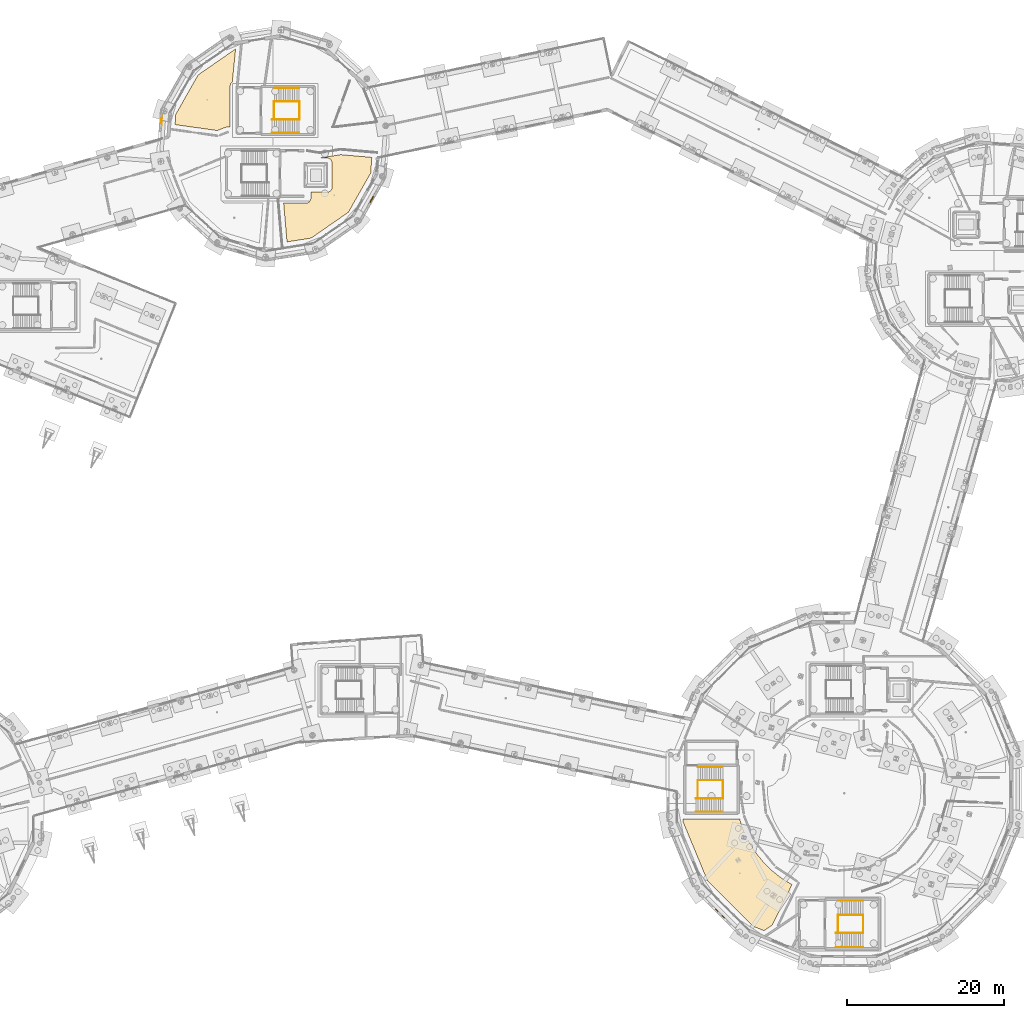
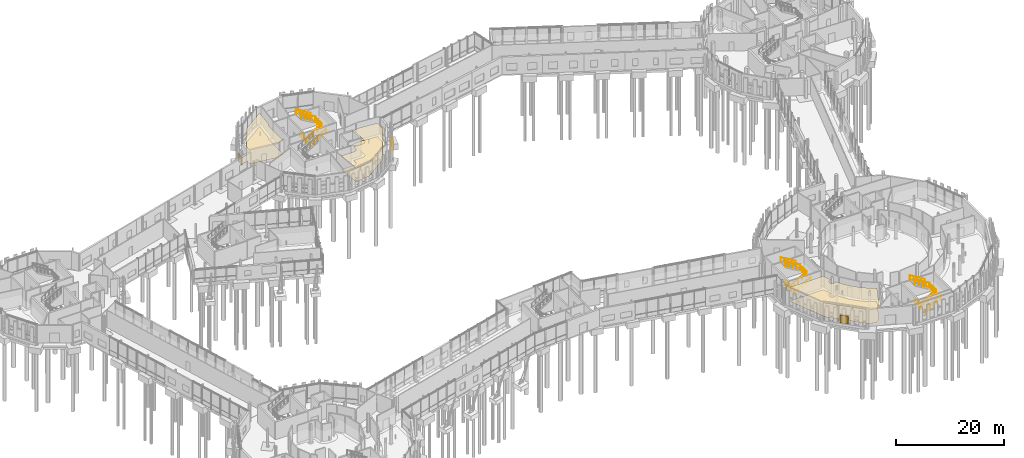
# One storey, part 110 of 113: 18 railings, 6 coverings, 3 shading devices.
"""IFC4 building model written with IfcOpenShell, lengths in metres."""

from ifc_helpers import new_model, si_unit, direction, frame, origin, origin_2d, place, context, subcontext, project, spatial, polyline, rectangle, circle, outline, extrude, material, layer, layer_set, type_object, element, save


model = new_model("IFC4")

# Units and contexts
model_context = context("Model", 3, precision=1e-05, world=origin(), true_north=direction((0.0, 1.0)))
body_context = subcontext(model_context, "Body", "Model", "MODEL_VIEW")
ifc_project = project(units=[si_unit("LENGTHUNIT", "METRE"), si_unit("AREAUNIT", "SQUARE_METRE"), si_unit("VOLUMEUNIT", "CUBIC_METRE"), si_unit("PLANEANGLEUNIT", "RADIAN"), si_unit("MASSUNIT", "GRAM", prefix="KILO")], contexts=[model_context])

# Site, building, storey
site_placement = place(None, origin())
site = spatial("IfcSite", under=ifc_project, at=site_placement, CompositionType="ELEMENT")
building_placement = place(site_placement, origin())
building = spatial("IfcBuilding", under=site, at=building_placement, Name="Wrenclough Park School", CompositionType="ELEMENT")
storey_placement = place(building_placement, origin())
storey = spatial("IfcBuildingStorey", under=building, at=storey_placement, Name="L00", CompositionType="ELEMENT", Elevation=0.0)

# Shading devices
ifc_material_1 = material(Name="Perforated Manchester multi-stock and Staffordshire blue-grey brick screen", Category="masonry")
ifc_layer_1 = layer(ifc_material_1, 0.114990234375)
ifc_layer_set_1 = layer_set([ifc_layer_1], Name="Perforated Manchester multi-stock and Staffordshire blue-grey brick screen")
shading_device_type_1 = type_object("IfcShadingDeviceType", Name="ENV-BS-02", PredefinedType="USERDEFINED", material=ifc_layer_set_1)
for number, where, z_axis, x_axis, name in (
    (1, (139.73291015625, 10.73291015625, 0.52978515625), (0.0, 0.0, 1.0), (0.707106781187, -0.707106781187, 0.0), "D1 L00 acoustic open-bond brick baffle 004"),
    (2, (95.492919921875, 101.4111328125, 0.52978515625), (0.0, 0.0, 1.0), (0.493508752009, 0.869740830185, 0.0), "D4 L00 acoustic open-bond brick baffle 010"),
):
    element("IfcShadingDevice", number, at=place(storey_placement, frame(where, z_axis=z_axis, x_axis=x_axis)), inside=storey, type_object=shading_device_type_1, Name=name, ObjectType="PERFORATED BRICK SCREEN", PredefinedType="USERDEFINED", context=body_context, shape_type="SweptSolid", body=[
        extrude(rectangle(XDim=1.60009765625, YDim=0.114990234375, at=origin_2d()), origin(), (0.0, 0.0, 1.0), 1.800048828125),
    ])
ifc_layer_2 = layer(ifc_material_1, 0.114990234375)
ifc_layer_set_2 = layer_set([ifc_layer_2], Name="Perforated Manchester multi-stock and Staffordshire blue-grey brick screen")
shading_device_type_2 = type_object("IfcShadingDeviceType", Name="ENV-BS-03", PredefinedType="USERDEFINED", material=ifc_layer_set_2)
shading_device_placement = place(storey_placement, frame((68.80078125, 111.426513671875, 0.52978515625), z_axis=(0.0, 0.0, 1.0), x_axis=(-0.067258571961, -0.997735578446, 0.0)))
element("IfcShadingDevice", 3, at=shading_device_placement, inside=storey, type_object=shading_device_type_2, Name="D4 L00 acoustic open-bond brick baffle 008", ObjectType="PERFORATED BRICK SCREEN", PredefinedType="USERDEFINED", context=body_context, shape_type="SweptSolid", body=[
    extrude(rectangle(XDim=1.60009765625, YDim=0.114990234375, at=origin_2d()), origin(), (0.0, 0.0, 1.0), 1.800048828125),
])

# Coverings
ifc_material_2 = material(Name="Class A mineral-fibre acoustic ceiling raft", Category="gypsum")
ifc_layer_3 = layer(ifc_material_2, 0.044921875)
ifc_layer_set_3 = layer_set([ifc_layer_3], Name="Class A mineral-fibre acoustic ceiling raft")
covering_type_1 = type_object("IfcCoveringType", Name="INT-COV-CEIL", PredefinedType="CEILING", material=ifc_layer_set_3)
covering_1_placement = place(storey_placement, frame((0.0, 0.0, 3.054931640625)))
element("IfcCovering", 4, at=covering_1_placement, inside=storey, type_object=covering_type_1, Name="PE Changing Village West acoustic ceiling raft", PredefinedType="CEILING", context=body_context, shape_type="SweptSolid", body=[
    extrude(outline(polyline([(135.05322265625, 22.742431640625), (135.017822265625, 22.751220703125), (135.017822265625, 22.42578125), (138.135986328125, 14.897705078125), (143.897705078125, 9.135986328125), (145.311767578125, 8.550537109375), (146.369873046875, 9.263427734375), (148.876220703125, 14.402099609375), (148.607177734375, 14.546142578125), (147.87548828125, 14.9990234375), (147.094970703125, 15.556396484375), (146.392333984375, 16.1337890625), (145.748046875, 16.7373046875), (145.134033203125, 17.392333984375), (144.560302734375, 18.08984375), (144.0302734375, 18.82861328125), (143.546875, 19.606201171875), (143.29638671875, 20.073974609375), (143.24072265625, 19.992431640625), (143.20068359375, 19.9482421875), (143.10888671875, 19.872802734375), (143.057861328125, 19.84228515625), (142.947998046875, 19.796875), (142.831298828125, 19.773681640625), (142.712646484375, 19.773681640625), (142.595947265625, 19.796875), (142.5400390625, 19.81689453125), (142.435302734375, 19.872802734375), (142.34326171875, 19.9482421875), (142.30322265625, 19.992431640625), (142.267822265625, 20.040283203125), (142.2119140625, 20.14501953125), (142.19189453125, 20.200927734375), (142.168701171875, 20.317626953125), (142.168701171875, 20.436279296875), (142.17724609375, 20.495361328125), (142.2119140625, 20.60888671875), (142.2373046875, 20.662841796875), (142.267822265625, 20.7138671875), (142.34326171875, 20.8056640625), (142.435302734375, 20.881103515625), (142.486083984375, 20.91162109375), (142.595947265625, 20.957275390625), (142.65380859375, 20.9716796875), (142.77197265625, 20.9833984375), (142.861572265625, 20.975830078125), (142.732421875, 21.265625), (142.43115234375, 22.07177734375), (142.228515625, 22.73974609375), (142.1201171875, 22.72998046875), (135.179931640625, 22.72998046875), (135.05322265625, 22.742431640625)])), origin(), (0.0, 0.0, 1.0), 0.045166015625),
])
covering_2_placement = place(storey_placement, frame((0.0, 0.0, 3.054931640625)))
element("IfcCovering", 5, at=covering_2_placement, inside=storey, type_object=covering_type_1, Name="SEN Learning Hub Classroom acoustic ceiling raft", PredefinedType="CEILING", context=body_context, shape_type="SweptSolid", body=[
    extrude(outline(polyline([(77.3173828125, 110.619140625), (77.530029296875, 110.60498046875), (77.533203125, 115.8837890625), (77.55810546875, 116.0087890625), (77.606689453125, 116.12646484375), (77.677490234375, 116.232421875), (77.720458984375, 116.279541015625), (77.801513671875, 116.347412109375), (78.217041015625, 120.503662109375), (78.18701171875, 120.498779296875), (73.45751953125, 117.222412109375), (70.617919921875, 112.21826171875), (70.52978515625, 110.908935546875), (75.89208984375, 110.1552734375), (76.823486328125, 110.52490234375), (76.9140625, 110.553466796875), (77.125244140625, 110.603271484375), (77.188720703125, 110.61474609375), (77.3173828125, 110.619140625)])), origin(), (0.0, 0.0, 1.0), 0.045166015625),
])
covering_3_placement = place(storey_placement, frame((0.0, 0.0, 3.054931640625)))
element("IfcCovering", 6, at=covering_3_placement, inside=storey, type_object=covering_type_1, Name="Mathematics Classroom 1 acoustic ceiling raft", PredefinedType="CEILING", context=body_context, shape_type="SweptSolid", body=[
    extrude(outline(polyline([(87.1201171875, 100.929931640625), (84.314697265625, 100.929931640625), (84.744873046875, 96.01513671875), (87.81298828125, 96.501220703125), (92.54248046875, 99.777587890625), (95.382080078125, 104.78173828125), (95.514892578125, 106.752685546875), (91.57568359375, 107.09716796875), (88.879150390625, 106.669921875), (89.820068359375, 106.669921875), (89.94677734375, 106.657470703125), (90.0087890625, 106.64208984375), (90.12646484375, 106.59326171875), (90.232421875, 106.5224609375), (90.322509765625, 106.432373046875), (90.360595703125, 106.381103515625), (90.42041015625, 106.268798828125), (90.45751953125, 106.146728515625), (90.469970703125, 106.02001953125), (90.469970703125, 102.97998046875), (90.45751953125, 102.853271484375), (90.44189453125, 102.791259765625), (90.42041015625, 102.731201171875), (90.360595703125, 102.618896484375), (90.322509765625, 102.567626953125), (90.232421875, 102.4775390625), (90.18115234375, 102.439453125), (90.068603515625, 102.37939453125), (89.94677734375, 102.342529296875), (89.820068359375, 102.330078125), (87.77001953125, 102.330078125), (87.766845703125, 101.516357421875), (87.757568359375, 101.453125), (87.720458984375, 101.331298828125), (87.660400390625, 101.218994140625), (87.62255859375, 101.16748046875), (87.532470703125, 101.077392578125), (87.481201171875, 101.03955078125), (87.36865234375, 100.9794921875), (87.30859375, 100.9580078125), (87.246826171875, 100.9423828125), (87.1201171875, 100.929931640625)])), origin(), (0.0, 0.0, 1.0), 0.045166015625),
])
ifc_material_3 = material(Name="Acoustic natural linoleum school flooring", Category="wood")
ifc_layer_4 = layer(ifc_material_3, 0.014892578125)
ifc_layer_set_4 = layer_set([ifc_layer_4], Name="Acoustic natural linoleum school flooring")
covering_type_2 = type_object("IfcCoveringType", Name="INT-COV-FLOOR1", PredefinedType="FLOORING", material=ifc_layer_set_4)
covering_4_placement = place(storey_placement, origin())
element("IfcCovering", 7, at=covering_4_placement, inside=storey, type_object=covering_type_2, Name="PE Changing Village West floor finish", PredefinedType="FLOORING", context=body_context, shape_type="SweptSolid", body=[
    extrude(outline(polyline([(135.05322265625, 22.742431640625), (135.017822265625, 22.751220703125), (135.017822265625, 22.42578125), (138.135986328125, 14.897705078125), (143.897705078125, 9.135986328125), (145.311767578125, 8.550537109375), (146.369873046875, 9.263427734375), (148.876220703125, 14.402099609375), (148.607177734375, 14.546142578125), (147.87548828125, 14.9990234375), (147.094970703125, 15.556396484375), (146.392333984375, 16.1337890625), (145.748046875, 16.7373046875), (145.134033203125, 17.392333984375), (144.560302734375, 18.08984375), (144.0302734375, 18.82861328125), (143.546875, 19.606201171875), (143.29638671875, 20.073974609375), (143.24072265625, 19.992431640625), (143.20068359375, 19.9482421875), (143.10888671875, 19.872802734375), (143.057861328125, 19.84228515625), (142.947998046875, 19.796875), (142.831298828125, 19.773681640625), (142.712646484375, 19.773681640625), (142.595947265625, 19.796875), (142.5400390625, 19.81689453125), (142.435302734375, 19.872802734375), (142.34326171875, 19.9482421875), (142.30322265625, 19.992431640625), (142.267822265625, 20.040283203125), (142.2119140625, 20.14501953125), (142.19189453125, 20.200927734375), (142.168701171875, 20.317626953125), (142.168701171875, 20.436279296875), (142.17724609375, 20.495361328125), (142.2119140625, 20.60888671875), (142.2373046875, 20.662841796875), (142.267822265625, 20.7138671875), (142.34326171875, 20.8056640625), (142.435302734375, 20.881103515625), (142.486083984375, 20.91162109375), (142.595947265625, 20.957275390625), (142.65380859375, 20.9716796875), (142.77197265625, 20.9833984375), (142.861572265625, 20.975830078125), (142.732421875, 21.265625), (142.43115234375, 22.07177734375), (142.228515625, 22.73974609375), (142.1201171875, 22.72998046875), (135.179931640625, 22.72998046875), (135.05322265625, 22.742431640625)])), origin(), (0.0, 0.0, 1.0), 0.014892578125),
])
covering_5_placement = place(storey_placement, origin())
element("IfcCovering", 8, at=covering_5_placement, inside=storey, type_object=covering_type_2, Name="SEN Learning Hub Classroom floor finish", PredefinedType="FLOORING", context=body_context, shape_type="SweptSolid", body=[
    extrude(outline(polyline([(77.3173828125, 110.619140625), (77.530029296875, 110.60498046875), (77.533203125, 115.8837890625), (77.55810546875, 116.0087890625), (77.606689453125, 116.12646484375), (77.677490234375, 116.232421875), (77.720458984375, 116.279541015625), (77.801513671875, 116.347412109375), (78.217041015625, 120.503662109375), (78.18701171875, 120.498779296875), (73.45751953125, 117.222412109375), (70.617919921875, 112.21826171875), (70.52978515625, 110.908935546875), (75.89208984375, 110.1552734375), (76.823486328125, 110.52490234375), (76.9140625, 110.553466796875), (77.125244140625, 110.603271484375), (77.188720703125, 110.61474609375), (77.3173828125, 110.619140625)])), origin(), (0.0, 0.0, 1.0), 0.014892578125),
])
covering_6_placement = place(storey_placement, origin())
element("IfcCovering", 9, at=covering_6_placement, inside=storey, type_object=covering_type_2, Name="Mathematics Classroom 1 floor finish", PredefinedType="FLOORING", context=body_context, shape_type="SweptSolid", body=[
    extrude(outline(polyline([(87.1201171875, 100.929931640625), (84.314697265625, 100.929931640625), (84.744873046875, 96.01513671875), (87.81298828125, 96.501220703125), (92.54248046875, 99.777587890625), (95.382080078125, 104.78173828125), (95.514892578125, 106.752685546875), (91.57568359375, 107.09716796875), (88.879150390625, 106.669921875), (89.820068359375, 106.669921875), (89.94677734375, 106.657470703125), (90.0087890625, 106.64208984375), (90.12646484375, 106.59326171875), (90.232421875, 106.5224609375), (90.322509765625, 106.432373046875), (90.360595703125, 106.381103515625), (90.42041015625, 106.268798828125), (90.45751953125, 106.146728515625), (90.469970703125, 106.02001953125), (90.469970703125, 102.97998046875), (90.45751953125, 102.853271484375), (90.44189453125, 102.791259765625), (90.42041015625, 102.731201171875), (90.360595703125, 102.618896484375), (90.322509765625, 102.567626953125), (90.232421875, 102.4775390625), (90.18115234375, 102.439453125), (90.068603515625, 102.37939453125), (89.94677734375, 102.342529296875), (89.820068359375, 102.330078125), (87.77001953125, 102.330078125), (87.766845703125, 101.516357421875), (87.757568359375, 101.453125), (87.720458984375, 101.331298828125), (87.660400390625, 101.218994140625), (87.62255859375, 101.16748046875), (87.532470703125, 101.077392578125), (87.481201171875, 101.03955078125), (87.36865234375, 100.9794921875), (87.30859375, 100.9580078125), (87.246826171875, 100.9423828125), (87.1201171875, 100.929931640625)])), origin(), (0.0, 0.0, 1.0), 0.014892578125),
])

# Railings
ifc_material_4 = material(Name="Powder-coated steel vertical-baluster stair and atrium guard", Category="steel")
railing_type_1 = type_object("IfcRailingType", Name="INT-RL-GD1120", PredefinedType="GUARDRAIL", material=ifc_material_4)
railing_1_placement = place(storey_placement, frame((154.705078125, 8.25, 0.0)))
element("IfcRailing", 10, at=railing_1_placement, inside=storey, type_object=railing_type_1, Name="ST-09 L00 well guard 1", PredefinedType="GUARDRAIL", context=body_context, shape_type="SweptSolid", body=[
    extrude(circle(Radius=0.02392578125, at=origin_2d()), frame((0.0, 0.0, 1.09619140625), z_axis=(0.0, 1.0, 0.0), x_axis=(-1.0, 0.0, 0.0)), (0.0, 0.0, 1.0), 2.300048828125),
    extrude(circle(Radius=0.02099609375, at=origin_2d()), origin(), (0.0, 0.0, 1.0), 1.072021484375),
    extrude(circle(Radius=0.02099609375, at=origin_2d()), frame((0.0, 0.7666015625, 0.0)), (0.0, 0.0, 1.0), 1.072021484375),
    extrude(circle(Radius=0.02099609375, at=origin_2d()), frame((0.0, 1.533447265625, 0.0)), (0.0, 0.0, 1.0), 1.072021484375),
    extrude(circle(Radius=0.02099609375, at=origin_2d()), frame((0.0, 2.300048828125, 0.0)), (0.0, 0.0, 1.0), 1.072021484375),
])
railing_2_placement = place(storey_placement, frame((154.4599609375, 8.25, 0.16796875)))
element("IfcRailing", 11, at=railing_2_placement, inside=storey, type_object=railing_type_1, Name="ST-09 L00 well guard 2", PredefinedType="GUARDRAIL", context=body_context, shape_type="SweptSolid", body=[
    extrude(circle(Radius=0.02392578125, at=origin_2d()), frame((0.0, 0.0, 1.09619140625), z_axis=(0.861450067461, 0.0, 0.507842279918), x_axis=(0.0, 1.0, 0.0)), (0.0, 0.0, 1.0), 3.969970703125),
    extrude(circle(Radius=0.02099609375, at=origin_2d()), origin(), (0.0, 0.0, 1.0), 1.072021484375),
    extrude(circle(Radius=0.02099609375, at=origin_2d()), frame((0.85498046875, 0.0, 0.50390625)), (0.0, 0.0, 1.0), 1.072021484375),
    extrude(circle(Radius=0.02099609375, at=origin_2d()), frame((1.7099609375, 0.0, 1.008056640625)), (0.0, 0.0, 1.0), 1.072021484375),
    extrude(circle(Radius=0.02099609375, at=origin_2d()), frame((2.56494140625, 0.0, 1.51220703125)), (0.0, 0.0, 1.0), 1.072021484375),
    extrude(circle(Radius=0.02099609375, at=origin_2d()), frame((3.419921875, 0.0, 2.01611328125)), (0.0, 0.0, 1.0), 1.072021484375),
])
railing_3_placement = place(storey_placement, frame((157.919921875, 8.25, 2.18408203125)))
element("IfcRailing", 12, at=railing_3_placement, inside=storey, type_object=railing_type_1, Name="ST-09 L00 well guard 3", PredefinedType="GUARDRAIL", context=body_context, shape_type="SweptSolid", body=[
    extrude(circle(Radius=0.02392578125, at=origin_2d()), frame((0.0, 0.0, 1.09619140625), z_axis=(0.0, 1.0, 0.0), x_axis=(-1.0, 0.0, 0.0)), (0.0, 0.0, 1.0), 2.300048828125),
    extrude(circle(Radius=0.02099609375, at=origin_2d()), origin(), (0.0, 0.0, 1.0), 1.072021484375),
    extrude(circle(Radius=0.02099609375, at=origin_2d()), frame((0.0, 0.7666015625, 0.0)), (0.0, 0.0, 1.0), 1.072021484375),
    extrude(circle(Radius=0.02099609375, at=origin_2d()), frame((0.0, 1.533447265625, 0.0)), (0.0, 0.0, 1.0), 1.072021484375),
    extrude(circle(Radius=0.02099609375, at=origin_2d()), frame((0.0, 2.300048828125, 0.0)), (0.0, 0.0, 1.0), 1.072021484375),
])
railing_4_placement = place(storey_placement, frame((157.8798828125, 10.550048828125, 2.35205078125)))
element("IfcRailing", 13, at=railing_4_placement, inside=storey, type_object=railing_type_1, Name="ST-09 L00 well guard 4", PredefinedType="GUARDRAIL", context=body_context, shape_type="SweptSolid", body=[
    extrude(circle(Radius=0.02392578125, at=origin_2d()), frame((0.0, 0.0, 1.09619140625), z_axis=(-0.861462991237, 0.0, 0.50782035675), x_axis=(0.0, -1.0, 0.0)), (0.0, 0.0, 1.0), 3.638916015625),
    extrude(circle(Radius=0.02099609375, at=origin_2d()), origin(), (0.0, 0.0, 1.0), 1.072021484375),
    extrude(circle(Radius=0.02099609375, at=origin_2d()), frame((-0.78369140625, 0.0, 0.4619140625)), (0.0, 0.0, 1.0), 1.072021484375),
    extrude(circle(Radius=0.02099609375, at=origin_2d()), frame((-1.5673828125, 0.0, 0.923828125)), (0.0, 0.0, 1.0), 1.072021484375),
    extrude(circle(Radius=0.02099609375, at=origin_2d()), frame((-2.35107421875, 0.0, 1.385986328125)), (0.0, 0.0, 1.0), 1.072021484375),
    extrude(circle(Radius=0.02099609375, at=origin_2d()), frame((-3.134765625, 0.0, 1.847900390625)), (0.0, 0.0, 1.0), 1.072021484375),
])
railing_5_placement = place(storey_placement, frame((136.905029296875, 25.35009765625, 0.0)))
element("IfcRailing", 14, at=railing_5_placement, inside=storey, type_object=railing_type_1, Name="ST-12 L00 well guard 1", PredefinedType="GUARDRAIL", context=body_context, shape_type="SweptSolid", body=[
    extrude(circle(Radius=0.02392578125, at=origin_2d()), frame((0.0, 0.0, 1.09619140625), z_axis=(0.0, 1.0, 0.0), x_axis=(-1.0, 0.0, 0.0)), (0.0, 0.0, 1.0), 2.2998046875),
    extrude(circle(Radius=0.02099609375, at=origin_2d()), origin(), (0.0, 0.0, 1.0), 1.072021484375),
    extrude(circle(Radius=0.02099609375, at=origin_2d()), frame((0.0, 0.7666015625, 0.0)), (0.0, 0.0, 1.0), 1.072021484375),
    extrude(circle(Radius=0.02099609375, at=origin_2d()), frame((0.0, 1.533203125, 0.0)), (0.0, 0.0, 1.0), 1.072021484375),
    extrude(circle(Radius=0.02099609375, at=origin_2d()), frame((0.0, 2.2998046875, 0.0)), (0.0, 0.0, 1.0), 1.072021484375),
])
railing_6_placement = place(storey_placement, frame((136.659912109375, 25.35009765625, 0.16796875)))
element("IfcRailing", 15, at=railing_6_placement, inside=storey, type_object=railing_type_1, Name="ST-12 L00 well guard 2", PredefinedType="GUARDRAIL", context=body_context, shape_type="SweptSolid", body=[
    extrude(circle(Radius=0.02392578125, at=origin_2d()), frame((0.0, 0.0, 1.09619140625), z_axis=(0.861465926511, 0.0, 0.507815377338), x_axis=(0.0, 1.0, 0.0)), (0.0, 0.0, 1.0), 3.97021484375),
    extrude(circle(Radius=0.02099609375, at=origin_2d()), origin(), (0.0, 0.0, 1.0), 1.072021484375),
    extrude(circle(Radius=0.02099609375, at=origin_2d()), frame((0.85498046875, 0.0, 0.50390625)), (0.0, 0.0, 1.0), 1.072021484375),
    extrude(circle(Radius=0.02099609375, at=origin_2d()), frame((1.7099609375, 0.0, 1.008056640625)), (0.0, 0.0, 1.0), 1.072021484375),
    extrude(circle(Radius=0.02099609375, at=origin_2d()), frame((2.565185546875, 0.0, 1.51220703125)), (0.0, 0.0, 1.0), 1.072021484375),
    extrude(circle(Radius=0.02099609375, at=origin_2d()), frame((3.420166015625, 0.0, 2.01611328125)), (0.0, 0.0, 1.0), 1.072021484375),
])
railing_7_placement = place(storey_placement, frame((140.1201171875, 25.35009765625, 2.18408203125)))
element("IfcRailing", 16, at=railing_7_placement, inside=storey, type_object=railing_type_1, Name="ST-12 L00 well guard 3", PredefinedType="GUARDRAIL", context=body_context, shape_type="SweptSolid", body=[
    extrude(circle(Radius=0.02392578125, at=origin_2d()), frame((0.0, 0.0, 1.09619140625), z_axis=(0.0, 1.0, 0.0), x_axis=(-1.0, 0.0, 0.0)), (0.0, 0.0, 1.0), 2.2998046875),
    extrude(circle(Radius=0.02099609375, at=origin_2d()), origin(), (0.0, 0.0, 1.0), 1.072021484375),
    extrude(circle(Radius=0.02099609375, at=origin_2d()), frame((0.0, 0.7666015625, 0.0)), (0.0, 0.0, 1.0), 1.072021484375),
    extrude(circle(Radius=0.02099609375, at=origin_2d()), frame((0.0, 1.533203125, 0.0)), (0.0, 0.0, 1.0), 1.072021484375),
    extrude(circle(Radius=0.02099609375, at=origin_2d()), frame((0.0, 2.2998046875, 0.0)), (0.0, 0.0, 1.0), 1.072021484375),
])
railing_8_placement = place(storey_placement, frame((140.080078125, 27.64990234375, 2.35205078125)))
element("IfcRailing", 17, at=railing_8_placement, inside=storey, type_object=railing_type_1, Name="ST-12 L00 well guard 4", PredefinedType="GUARDRAIL", context=body_context, shape_type="SweptSolid", body=[
    extrude(circle(Radius=0.02392578125, at=origin_2d()), frame((0.0, 0.0, 1.09619140625), z_axis=(-0.861480291558, 0.0, 0.50779100746), x_axis=(0.0, -1.0, 0.0)), (0.0, 0.0, 1.0), 3.63916015625),
    extrude(circle(Radius=0.02099609375, at=origin_2d()), origin(), (0.0, 0.0, 1.0), 1.072021484375),
    extrude(circle(Radius=0.02099609375, at=origin_2d()), frame((-0.78369140625, 0.0, 0.4619140625)), (0.0, 0.0, 1.0), 1.072021484375),
    extrude(circle(Radius=0.02099609375, at=origin_2d()), frame((-1.5673828125, 0.0, 0.923828125)), (0.0, 0.0, 1.0), 1.072021484375),
    extrude(circle(Radius=0.02099609375, at=origin_2d()), frame((-2.351318359375, 0.0, 1.385986328125)), (0.0, 0.0, 1.0), 1.072021484375),
    extrude(circle(Radius=0.02099609375, at=origin_2d()), frame((-3.135009765625, 0.0, 1.847900390625)), (0.0, 0.0, 1.0), 1.072021484375),
])
railing_9_placement = place(storey_placement, frame((83.10498046875, 111.550048828125, 0.0)))
element("IfcRailing", 18, at=railing_9_placement, inside=storey, type_object=railing_type_1, Name="ST-08 L00 well guard 1", PredefinedType="GUARDRAIL", context=body_context, shape_type="SweptSolid", body=[
    extrude(circle(Radius=0.02392578125, at=origin_2d()), frame((0.0, 0.0, 1.09619140625), z_axis=(0.0, 1.0, 0.0), x_axis=(-1.0, 0.0, 0.0)), (0.0, 0.0, 1.0), 2.300048828125),
    extrude(circle(Radius=0.02099609375, at=origin_2d()), origin(), (0.0, 0.0, 1.0), 1.072021484375),
    extrude(circle(Radius=0.02099609375, at=origin_2d()), frame((0.0, 0.7666015625, 0.0)), (0.0, 0.0, 1.0), 1.072021484375),
    extrude(circle(Radius=0.02099609375, at=origin_2d()), frame((0.0, 1.533447265625, 0.0)), (0.0, 0.0, 1.0), 1.072021484375),
    extrude(circle(Radius=0.02099609375, at=origin_2d()), frame((0.0, 2.300048828125, 0.0)), (0.0, 0.0, 1.0), 1.072021484375),
])
railing_10_placement = place(storey_placement, frame((82.860107421875, 111.550048828125, 0.16796875)))
element("IfcRailing", 19, at=railing_10_placement, inside=storey, type_object=railing_type_1, Name="ST-08 L00 well guard 2", PredefinedType="GUARDRAIL", context=body_context, shape_type="SweptSolid", body=[
    extrude(circle(Radius=0.02392578125, at=origin_2d()), frame((0.0, 0.0, 1.09619140625), z_axis=(0.861450067461, 0.0, 0.507842279918), x_axis=(0.0, 1.0, 0.0)), (0.0, 0.0, 1.0), 3.969970703125),
    extrude(circle(Radius=0.02099609375, at=origin_2d()), origin(), (0.0, 0.0, 1.0), 1.072021484375),
    extrude(circle(Radius=0.02099609375, at=origin_2d()), frame((0.85498046875, 0.0, 0.50390625)), (0.0, 0.0, 1.0), 1.072021484375),
    extrude(circle(Radius=0.02099609375, at=origin_2d()), frame((1.7099609375, 0.0, 1.008056640625)), (0.0, 0.0, 1.0), 1.072021484375),
    extrude(circle(Radius=0.02099609375, at=origin_2d()), frame((2.56494140625, 0.0, 1.51220703125)), (0.0, 0.0, 1.0), 1.072021484375),
    extrude(circle(Radius=0.02099609375, at=origin_2d()), frame((3.419921875, 0.0, 2.01611328125)), (0.0, 0.0, 1.0), 1.072021484375),
])
railing_11_placement = place(storey_placement, frame((86.320068359375, 111.550048828125, 2.18408203125)))
element("IfcRailing", 20, at=railing_11_placement, inside=storey, type_object=railing_type_1, Name="ST-08 L00 well guard 3", PredefinedType="GUARDRAIL", context=body_context, shape_type="SweptSolid", body=[
    extrude(circle(Radius=0.02392578125, at=origin_2d()), frame((0.0, 0.0, 1.09619140625), z_axis=(0.0, 1.0, 0.0), x_axis=(-1.0, 0.0, 0.0)), (0.0, 0.0, 1.0), 2.300048828125),
    extrude(circle(Radius=0.02099609375, at=origin_2d()), origin(), (0.0, 0.0, 1.0), 1.072021484375),
    extrude(circle(Radius=0.02099609375, at=origin_2d()), frame((0.0, 0.7666015625, 0.0)), (0.0, 0.0, 1.0), 1.072021484375),
    extrude(circle(Radius=0.02099609375, at=origin_2d()), frame((0.0, 1.533447265625, 0.0)), (0.0, 0.0, 1.0), 1.072021484375),
    extrude(circle(Radius=0.02099609375, at=origin_2d()), frame((0.0, 2.300048828125, 0.0)), (0.0, 0.0, 1.0), 1.072021484375),
])
railing_12_placement = place(storey_placement, frame((86.280029296875, 113.85009765625, 2.35205078125)))
element("IfcRailing", 21, at=railing_12_placement, inside=storey, type_object=railing_type_1, Name="ST-08 L00 well guard 4", PredefinedType="GUARDRAIL", context=body_context, shape_type="SweptSolid", body=[
    extrude(circle(Radius=0.02392578125, at=origin_2d()), frame((0.0, 0.0, 1.09619140625), z_axis=(-0.861480291558, 0.0, 0.50779100746), x_axis=(0.0, -1.0, 0.0)), (0.0, 0.0, 1.0), 3.63916015625),
    extrude(circle(Radius=0.02099609375, at=origin_2d()), origin(), (0.0, 0.0, 1.0), 1.072021484375),
    extrude(circle(Radius=0.02099609375, at=origin_2d()), frame((-0.78369140625, 0.0, 0.4619140625)), (0.0, 0.0, 1.0), 1.072021484375),
    extrude(circle(Radius=0.02099609375, at=origin_2d()), frame((-1.5673828125, 0.0, 0.923828125)), (0.0, 0.0, 1.0), 1.072021484375),
    extrude(circle(Radius=0.02099609375, at=origin_2d()), frame((-2.351318359375, 0.0, 1.385986328125)), (0.0, 0.0, 1.0), 1.072021484375),
    extrude(circle(Radius=0.02099609375, at=origin_2d()), frame((-3.135009765625, 0.0, 1.847900390625)), (0.0, 0.0, 1.0), 1.072021484375),
])
ifc_material_5 = material(Name="Brushed stainless steel tubular handrail", Category="steel")
railing_type_2 = type_object("IfcRailingType", Name="INT-RL-HR950", PredefinedType="HANDRAIL", material=ifc_material_5)
railing_13_placement = place(storey_placement, frame((154.4599609375, 6.449951171875, 0.16796875)))
element("IfcRailing", 22, at=railing_13_placement, inside=storey, type_object=railing_type_2, Name="ST-09 L00 pitch handrail 1", PredefinedType="HANDRAIL", context=body_context, shape_type="SweptSolid", body=[
    extrude(circle(Radius=0.02392578125, at=origin_2d()), frame((0.0, 0.0, 0.92578125), z_axis=(0.861450067461, 0.0, 0.507842279918), x_axis=(0.0, 1.0, 0.0)), (0.0, 0.0, 1.0), 3.969970703125),
    extrude(circle(Radius=0.02099609375, at=origin_2d()), origin(), (0.0, 0.0, 1.0), 0.90185546875),
    extrude(circle(Radius=0.02099609375, at=origin_2d()), frame((0.85498046875, 0.0, 0.50390625)), (0.0, 0.0, 1.0), 0.90185546875),
    extrude(circle(Radius=0.02099609375, at=origin_2d()), frame((1.7099609375, 0.0, 1.008056640625)), (0.0, 0.0, 1.0), 0.90185546875),
    extrude(circle(Radius=0.02099609375, at=origin_2d()), frame((2.56494140625, 0.0, 1.51220703125)), (0.0, 0.0, 1.0), 0.90185546875),
    extrude(circle(Radius=0.02099609375, at=origin_2d()), frame((3.419921875, 0.0, 2.01611328125)), (0.0, 0.0, 1.0), 0.90185546875),
])
railing_14_placement = place(storey_placement, frame((157.8798828125, 12.35009765625, 2.35205078125)))
element("IfcRailing", 23, at=railing_14_placement, inside=storey, type_object=railing_type_2, Name="ST-09 L00 pitch handrail 2", PredefinedType="HANDRAIL", context=body_context, shape_type="SweptSolid", body=[
    extrude(circle(Radius=0.02392578125, at=origin_2d()), frame((0.0, 0.0, 0.92578125), z_axis=(-0.861462991237, 0.0, 0.50782035675), x_axis=(0.0, -1.0, 0.0)), (0.0, 0.0, 1.0), 3.638916015625),
    extrude(circle(Radius=0.02099609375, at=origin_2d()), origin(), (0.0, 0.0, 1.0), 0.90185546875),
    extrude(circle(Radius=0.02099609375, at=origin_2d()), frame((-0.78369140625, 0.0, 0.4619140625)), (0.0, 0.0, 1.0), 0.90185546875),
    extrude(circle(Radius=0.02099609375, at=origin_2d()), frame((-1.5673828125, 0.0, 0.923828125)), (0.0, 0.0, 1.0), 0.90185546875),
    extrude(circle(Radius=0.02099609375, at=origin_2d()), frame((-2.35107421875, 0.0, 1.385986328125)), (0.0, 0.0, 1.0), 0.90185546875),
    extrude(circle(Radius=0.02099609375, at=origin_2d()), frame((-3.134765625, 0.0, 1.847900390625)), (0.0, 0.0, 1.0), 0.90185546875),
])
railing_15_placement = place(storey_placement, frame((136.659912109375, 23.64990234375, 0.16796875)))
element("IfcRailing", 24, at=railing_15_placement, inside=storey, type_object=railing_type_2, Name="ST-12 L00 pitch handrail 1", PredefinedType="HANDRAIL", context=body_context, shape_type="SweptSolid", body=[
    extrude(circle(Radius=0.02392578125, at=origin_2d()), frame((0.0, 0.0, 0.92578125), z_axis=(0.861465926511, 0.0, 0.507815377338), x_axis=(0.0, 1.0, 0.0)), (0.0, 0.0, 1.0), 3.97021484375),
    extrude(circle(Radius=0.02099609375, at=origin_2d()), origin(), (0.0, 0.0, 1.0), 0.90185546875),
    extrude(circle(Radius=0.02099609375, at=origin_2d()), frame((0.85498046875, 0.0, 0.50390625)), (0.0, 0.0, 1.0), 0.90185546875),
    extrude(circle(Radius=0.02099609375, at=origin_2d()), frame((1.7099609375, 0.0, 1.008056640625)), (0.0, 0.0, 1.0), 0.90185546875),
    extrude(circle(Radius=0.02099609375, at=origin_2d()), frame((2.565185546875, 0.0, 1.51220703125)), (0.0, 0.0, 1.0), 0.90185546875),
    extrude(circle(Radius=0.02099609375, at=origin_2d()), frame((3.420166015625, 0.0, 2.01611328125)), (0.0, 0.0, 1.0), 0.90185546875),
])
railing_16_placement = place(storey_placement, frame((140.080078125, 29.35009765625, 2.35205078125)))
element("IfcRailing", 25, at=railing_16_placement, inside=storey, type_object=railing_type_2, Name="ST-12 L00 pitch handrail 2", PredefinedType="HANDRAIL", context=body_context, shape_type="SweptSolid", body=[
    extrude(circle(Radius=0.02392578125, at=origin_2d()), frame((0.0, 0.0, 0.92578125), z_axis=(-0.861480291558, 0.0, 0.50779100746), x_axis=(0.0, -1.0, 0.0)), (0.0, 0.0, 1.0), 3.63916015625),
    extrude(circle(Radius=0.02099609375, at=origin_2d()), origin(), (0.0, 0.0, 1.0), 0.90185546875),
    extrude(circle(Radius=0.02099609375, at=origin_2d()), frame((-0.78369140625, 0.0, 0.4619140625)), (0.0, 0.0, 1.0), 0.90185546875),
    extrude(circle(Radius=0.02099609375, at=origin_2d()), frame((-1.5673828125, 0.0, 0.923828125)), (0.0, 0.0, 1.0), 0.90185546875),
    extrude(circle(Radius=0.02099609375, at=origin_2d()), frame((-2.351318359375, 0.0, 1.385986328125)), (0.0, 0.0, 1.0), 0.90185546875),
    extrude(circle(Radius=0.02099609375, at=origin_2d()), frame((-3.135009765625, 0.0, 1.847900390625)), (0.0, 0.0, 1.0), 0.90185546875),
])
railing_17_placement = place(storey_placement, frame((82.860107421875, 109.85009765625, 0.16796875)))
element("IfcRailing", 26, at=railing_17_placement, inside=storey, type_object=railing_type_2, Name="ST-08 L00 pitch handrail 1", PredefinedType="HANDRAIL", context=body_context, shape_type="SweptSolid", body=[
    extrude(circle(Radius=0.02392578125, at=origin_2d()), frame((0.0, 0.0, 0.92578125), z_axis=(0.861450067461, 0.0, 0.507842279918), x_axis=(0.0, 1.0, 0.0)), (0.0, 0.0, 1.0), 3.969970703125),
    extrude(circle(Radius=0.02099609375, at=origin_2d()), origin(), (0.0, 0.0, 1.0), 0.90185546875),
    extrude(circle(Radius=0.02099609375, at=origin_2d()), frame((0.85498046875, 0.0, 0.50390625)), (0.0, 0.0, 1.0), 0.90185546875),
    extrude(circle(Radius=0.02099609375, at=origin_2d()), frame((1.7099609375, 0.0, 1.008056640625)), (0.0, 0.0, 1.0), 0.90185546875),
    extrude(circle(Radius=0.02099609375, at=origin_2d()), frame((2.56494140625, 0.0, 1.51220703125)), (0.0, 0.0, 1.0), 0.90185546875),
    extrude(circle(Radius=0.02099609375, at=origin_2d()), frame((3.419921875, 0.0, 2.01611328125)), (0.0, 0.0, 1.0), 0.90185546875),
])
railing_18_placement = place(storey_placement, frame((86.280029296875, 115.550048828125, 2.35205078125)))
element("IfcRailing", 27, at=railing_18_placement, inside=storey, type_object=railing_type_2, Name="ST-08 L00 pitch handrail 2", PredefinedType="HANDRAIL", context=body_context, shape_type="SweptSolid", body=[
    extrude(circle(Radius=0.02392578125, at=origin_2d()), frame((0.0, 0.0, 0.92578125), z_axis=(-0.861480291558, 0.0, 0.50779100746), x_axis=(0.0, -1.0, 0.0)), (0.0, 0.0, 1.0), 3.63916015625),
    extrude(circle(Radius=0.02099609375, at=origin_2d()), origin(), (0.0, 0.0, 1.0), 0.90185546875),
    extrude(circle(Radius=0.02099609375, at=origin_2d()), frame((-0.78369140625, 0.0, 0.4619140625)), (0.0, 0.0, 1.0), 0.90185546875),
    extrude(circle(Radius=0.02099609375, at=origin_2d()), frame((-1.5673828125, 0.0, 0.923828125)), (0.0, 0.0, 1.0), 0.90185546875),
    extrude(circle(Radius=0.02099609375, at=origin_2d()), frame((-2.351318359375, 0.0, 1.385986328125)), (0.0, 0.0, 1.0), 0.90185546875),
    extrude(circle(Radius=0.02099609375, at=origin_2d()), frame((-3.135009765625, 0.0, 1.847900390625)), (0.0, 0.0, 1.0), 0.90185546875),
])

save(model, "model.ifc")
